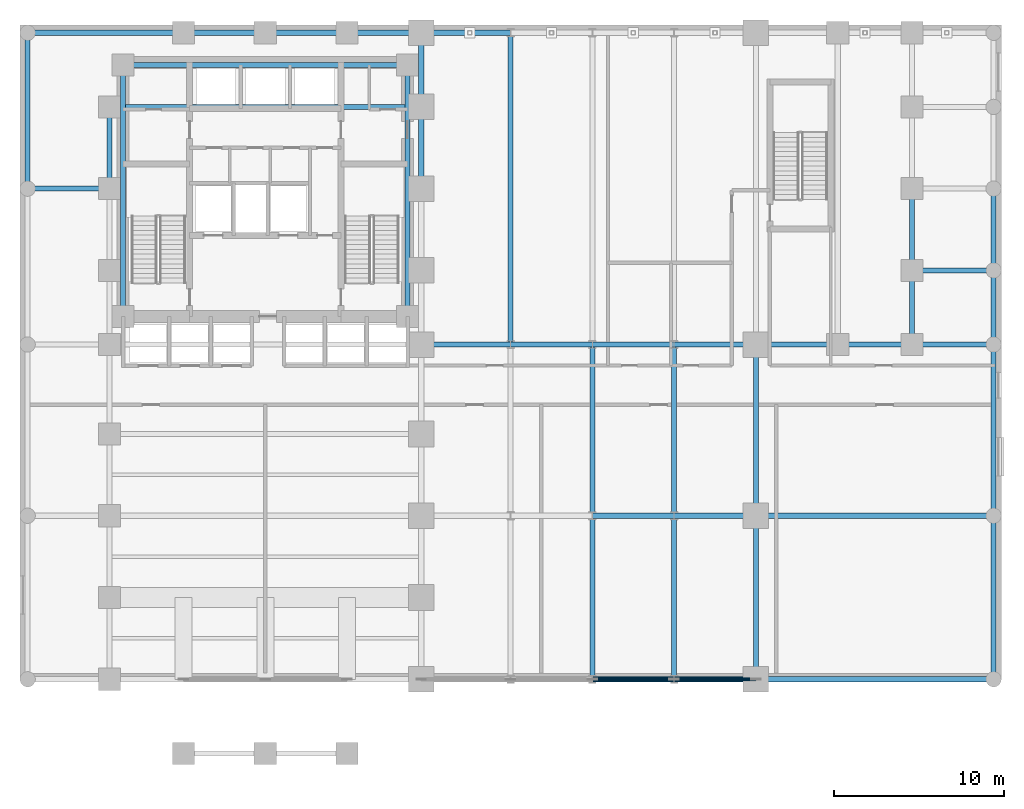
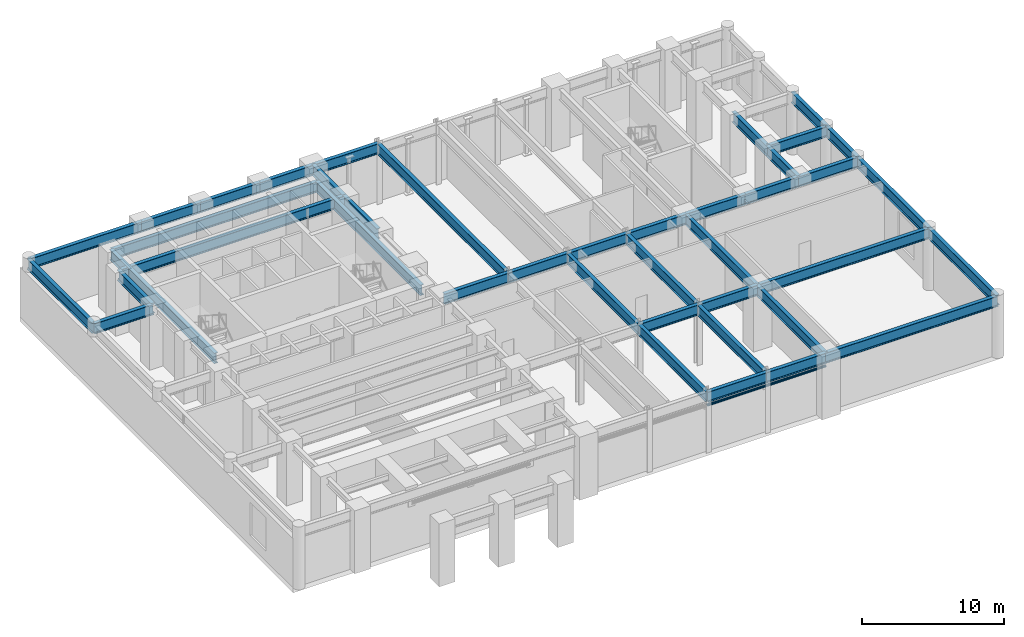
# One storey, part 2 of 10: 41 beams, 2 members.
"""IFC4 building model written with IfcOpenShell, lengths in metres."""

from ifc_helpers import new_model, si_unit, direction, frame, origin, origin_2d, place, context, subcontext, project, spatial, hollow_circle, i_section, extrude, material, material_profile, profile_set, type_object, element, save


model = new_model("IFC4")

# Units and contexts
model_context = context("Model", 3, precision=1e-05, world=origin(), true_north=direction((0.0, 1.0)))
body_context = subcontext(model_context, "Body", "Model", "MODEL_VIEW")
ifc_project = project(units=[si_unit("LENGTHUNIT", "METRE"), si_unit("AREAUNIT", "SQUARE_METRE"), si_unit("VOLUMEUNIT", "CUBIC_METRE"), si_unit("PLANEANGLEUNIT", "RADIAN"), si_unit("MASSUNIT", "GRAM", prefix="KILO")], contexts=[model_context])

# Site, building, storey
site_placement = place(None, origin())
site = spatial("IfcSite", under=ifc_project, at=site_placement, CompositionType="ELEMENT")
building_placement = place(site_placement, origin())
building = spatial("IfcBuilding", under=site, at=building_placement, Name="Orvandelia Arch Residences", CompositionType="ELEMENT")
storey_placement = place(building_placement, frame((0.0, 0.0, 19.60009765625)))
storey = spatial("IfcBuildingStorey", under=building, at=storey_placement, Name="L04", CompositionType="ELEMENT", Elevation=19.60009765625)

# Beams
ifc_material_1 = material(Name="Structural Steel HSA650 (650 MPa)", Category="steel")
ifc_material_profile_1 = material_profile(ifc_material_1, i_section(OverallWidth=0.300048828125, OverallDepth=0.89990234375, WebThickness=0.01611328125, FlangeThickness=0.028076171875, FilletRadius=0.028076171875, at=origin_2d()), Name="Structural Steel HSA650 (650 MPa)", Category="steel")
ifc_profile_set_1 = profile_set([ifc_material_profile_1], Name="Structural Steel HSA650 (650 MPa)")
beam_type = type_object("IfcBeamType", Name="BM-GRD-H900", PredefinedType="BEAM", material=ifc_profile_set_1)
beam_1_placement = place(storey_placement, frame((0.449951171875, 38.39990234375, 4.699951171875), z_axis=(0.0, 1.0, 0.0), x_axis=(-1.0, 0.0, 0.0)))
element("IfcBeam", 1, at=beam_1_placement, inside=storey, type_object=beam_type, Name="Structural Frame Beam L04-NS-004", PredefinedType="BEAM", context=body_context, shape_type="SweptSolid", body=[
    extrude(i_section(OverallWidth=0.300048828125, OverallDepth=0.89990234375, WebThickness=0.01611328125, FlangeThickness=0.028076171875, FilletRadius=0.028076171875, at=origin_2d()), origin(), (0.0, 0.0, 1.0), 9.150146484375),
])
beam_2_placement = place(storey_placement, frame((5.25, 38.39990234375, 4.699951171875), z_axis=(0.0, 1.0, 0.0), x_axis=(-1.0, 0.0, 0.0)))
element("IfcBeam", 2, at=beam_2_placement, inside=storey, type_object=beam_type, Name="Structural Frame Beam L04-NS-011", PredefinedType="BEAM", context=body_context, shape_type="SweptSolid", body=[
    extrude(i_section(OverallWidth=0.300048828125, OverallDepth=0.89990234375, WebThickness=0.01611328125, FlangeThickness=0.028076171875, FilletRadius=0.028076171875, at=origin_2d()), origin(), (0.0, 0.0, 1.0), 4.800048828125),
])
for number, where, z_axis, x_axis, name in (
    (3, (6.050048828125, 30.89990234375, 4.699951171875), (0.0, 1.0, 0.0), (-1.0, 0.0, 0.0), "Structural Frame Beam L04-NS-012"),
    (4, (22.75, 30.89990234375, 4.699951171875), (0.0, 1.0, 0.0), (-1.0, 0.0, 0.0), "Structural Frame Beam L04-NS-013"),
):
    element("IfcBeam", number, at=place(storey_placement, frame(where, z_axis=z_axis, x_axis=x_axis)), inside=storey, type_object=beam_type, Name=name, PredefinedType="BEAM", context=body_context, shape_type="SweptSolid", body=[
        extrude(i_section(OverallWidth=0.300048828125, OverallDepth=0.89990234375, WebThickness=0.01611328125, FlangeThickness=0.028076171875, FilletRadius=0.028076171875, at=origin_2d()), origin(), (0.0, 0.0, 1.0), 14.75),
    ])
beam_3_placement = place(storey_placement, frame((23.550048828125, 38.39990234375, 4.699951171875), z_axis=(0.0, 1.0, 0.0), x_axis=(-1.0, 0.0, 0.0)))
element("IfcBeam", 5, at=beam_3_placement, inside=storey, type_object=beam_type, Name="Structural Frame Beam L04-NS-020", PredefinedType="BEAM", context=body_context, shape_type="SweptSolid", body=[
    extrude(i_section(OverallWidth=0.300048828125, OverallDepth=0.89990234375, WebThickness=0.01611328125, FlangeThickness=0.028076171875, FilletRadius=0.028076171875, at=origin_2d()), origin(), (0.0, 0.0, 1.0), 4.800048828125),
])
beam_4_placement = place(storey_placement, frame((23.550048828125, 43.199951171875, 4.699951171875), z_axis=(0.0, 1.0, 0.0), x_axis=(-1.0, 0.0, 0.0)))
element("IfcBeam", 6, at=beam_4_placement, inside=storey, type_object=beam_type, Name="Structural Frame Beam L04-NS-021", PredefinedType="BEAM", context=body_context, shape_type="SweptSolid", body=[
    extrude(i_section(OverallWidth=0.300048828125, OverallDepth=0.89990234375, WebThickness=0.01611328125, FlangeThickness=0.028076171875, FilletRadius=0.028076171875, at=origin_2d()), origin(), (0.0, 0.0, 1.0), 4.35009765625),
])
beam_5_placement = place(storey_placement, frame((28.800048828125, 29.25, 4.699951171875), z_axis=(0.0, 1.0, 0.0), x_axis=(-1.0, 0.0, 0.0)))
element("IfcBeam", 7, at=beam_5_placement, inside=storey, type_object=beam_type, Name="Structural Frame Beam L04-NS-024", PredefinedType="BEAM", context=body_context, shape_type="SweptSolid", body=[
    extrude(i_section(OverallWidth=0.300048828125, OverallDepth=0.89990234375, WebThickness=0.01611328125, FlangeThickness=0.028076171875, FilletRadius=0.028076171875, at=origin_2d()), origin(), (0.0, 0.0, 1.0), 18.300048828125),
])
beam_6_placement = place(storey_placement, frame((33.60009765625, 9.60009765625, 4.699951171875), z_axis=(0.0, 1.0, 0.0), x_axis=(-1.0, 0.0, 0.0)))
element("IfcBeam", 8, at=beam_6_placement, inside=storey, type_object=beam_type, Name="Structural Frame Beam L04-NS-025", PredefinedType="BEAM", context=body_context, shape_type="SweptSolid", body=[
    extrude(i_section(OverallWidth=0.300048828125, OverallDepth=0.89990234375, WebThickness=0.01611328125, FlangeThickness=0.028076171875, FilletRadius=0.028076171875, at=origin_2d()), origin(), (0.0, 0.0, 1.0), 9.599853515625),
])
beam_7_placement = place(storey_placement, frame((33.60009765625, 19.199951171875, 4.699951171875), z_axis=(0.0, 1.0, 0.0), x_axis=(-1.0, 0.0, 0.0)))
element("IfcBeam", 9, at=beam_7_placement, inside=storey, type_object=beam_type, Name="Structural Frame Beam L04-NS-026", PredefinedType="BEAM", context=body_context, shape_type="SweptSolid", body=[
    extrude(i_section(OverallWidth=0.300048828125, OverallDepth=0.89990234375, WebThickness=0.01611328125, FlangeThickness=0.028076171875, FilletRadius=0.028076171875, at=origin_2d()), origin(), (0.0, 0.0, 1.0), 10.050048828125),
])
beam_8_placement = place(storey_placement, frame((38.39990234375, 9.60009765625, 4.699951171875), z_axis=(0.0, 1.0, 0.0), x_axis=(-1.0, 0.0, 0.0)))
element("IfcBeam", 10, at=beam_8_placement, inside=storey, type_object=beam_type, Name="Structural Frame Beam L04-NS-028", PredefinedType="BEAM", context=body_context, shape_type="SweptSolid", body=[
    extrude(i_section(OverallWidth=0.300048828125, OverallDepth=0.89990234375, WebThickness=0.01611328125, FlangeThickness=0.028076171875, FilletRadius=0.028076171875, at=origin_2d()), origin(), (0.0, 0.0, 1.0), 9.599853515625),
])
beam_9_placement = place(storey_placement, frame((38.39990234375, 19.199951171875, 4.699951171875), z_axis=(0.0, 1.0, 0.0), x_axis=(-1.0, 0.0, 0.0)))
element("IfcBeam", 11, at=beam_9_placement, inside=storey, type_object=beam_type, Name="Structural Frame Beam L04-NS-029", PredefinedType="BEAM", context=body_context, shape_type="SweptSolid", body=[
    extrude(i_section(OverallWidth=0.300048828125, OverallDepth=0.89990234375, WebThickness=0.01611328125, FlangeThickness=0.028076171875, FilletRadius=0.028076171875, at=origin_2d()), origin(), (0.0, 0.0, 1.0), 10.050048828125),
])
beam_10_placement = place(storey_placement, frame((43.199951171875, 9.60009765625, 4.699951171875), z_axis=(0.0, 1.0, 0.0), x_axis=(-1.0, 0.0, 0.0)))
element("IfcBeam", 12, at=beam_10_placement, inside=storey, type_object=beam_type, Name="Structural Frame Beam L04-NS-031", PredefinedType="BEAM", context=body_context, shape_type="SweptSolid", body=[
    extrude(i_section(OverallWidth=0.300048828125, OverallDepth=0.89990234375, WebThickness=0.01611328125, FlangeThickness=0.028076171875, FilletRadius=0.028076171875, at=origin_2d()), origin(), (0.0, 0.0, 1.0), 9.599853515625),
])
beam_11_placement = place(storey_placement, frame((43.199951171875, 19.199951171875, 4.699951171875), z_axis=(0.0, 1.0, 0.0), x_axis=(-1.0, 0.0, 0.0)))
element("IfcBeam", 13, at=beam_11_placement, inside=storey, type_object=beam_type, Name="Structural Frame Beam L04-NS-032", PredefinedType="BEAM", context=body_context, shape_type="SweptSolid", body=[
    extrude(i_section(OverallWidth=0.300048828125, OverallDepth=0.89990234375, WebThickness=0.01611328125, FlangeThickness=0.028076171875, FilletRadius=0.028076171875, at=origin_2d()), origin(), (0.0, 0.0, 1.0), 10.050048828125),
])
beam_12_placement = place(storey_placement, frame((52.35009765625, 29.25, 4.699951171875), z_axis=(0.0, 1.0, 0.0), x_axis=(-1.0, 0.0, 0.0)))
element("IfcBeam", 14, at=beam_12_placement, inside=storey, type_object=beam_type, Name="Structural Frame Beam L04-NS-035", PredefinedType="BEAM", context=body_context, shape_type="SweptSolid", body=[
    extrude(i_section(OverallWidth=0.300048828125, OverallDepth=0.89990234375, WebThickness=0.01611328125, FlangeThickness=0.028076171875, FilletRadius=0.028076171875, at=origin_2d()), origin(), (0.0, 0.0, 1.0), 4.35009765625),
])
beam_13_placement = place(storey_placement, frame((52.35009765625, 33.60009765625, 4.699951171875), z_axis=(0.0, 1.0, 0.0), x_axis=(-1.0, 0.0, 0.0)))
element("IfcBeam", 15, at=beam_13_placement, inside=storey, type_object=beam_type, Name="Structural Frame Beam L04-NS-036", PredefinedType="BEAM", context=body_context, shape_type="SweptSolid", body=[
    extrude(i_section(OverallWidth=0.300048828125, OverallDepth=0.89990234375, WebThickness=0.01611328125, FlangeThickness=0.028076171875, FilletRadius=0.028076171875, at=origin_2d()), origin(), (0.0, 0.0, 1.0), 4.7998046875),
])
beam_14_placement = place(storey_placement, frame((57.14990234375, 9.60009765625, 4.699951171875), z_axis=(0.0, 1.0, 0.0), x_axis=(-1.0, 0.0, 0.0)))
element("IfcBeam", 16, at=beam_14_placement, inside=storey, type_object=beam_type, Name="Structural Frame Beam L04-NS-039", PredefinedType="BEAM", context=body_context, shape_type="SweptSolid", body=[
    extrude(i_section(OverallWidth=0.300048828125, OverallDepth=0.89990234375, WebThickness=0.01611328125, FlangeThickness=0.028076171875, FilletRadius=0.028076171875, at=origin_2d()), origin(), (0.0, 0.0, 1.0), 9.599853515625),
])
beam_15_placement = place(storey_placement, frame((57.14990234375, 19.199951171875, 4.699951171875), z_axis=(0.0, 1.0, 0.0), x_axis=(-1.0, 0.0, 0.0)))
element("IfcBeam", 17, at=beam_15_placement, inside=storey, type_object=beam_type, Name="Structural Frame Beam L04-NS-040", PredefinedType="BEAM", context=body_context, shape_type="SweptSolid", body=[
    extrude(i_section(OverallWidth=0.300048828125, OverallDepth=0.89990234375, WebThickness=0.01611328125, FlangeThickness=0.028076171875, FilletRadius=0.028076171875, at=origin_2d()), origin(), (0.0, 0.0, 1.0), 10.050048828125),
])
beam_16_placement = place(storey_placement, frame((57.14990234375, 29.25, 4.699951171875), z_axis=(0.0, 1.0, 0.0), x_axis=(-1.0, 0.0, 0.0)))
element("IfcBeam", 18, at=beam_16_placement, inside=storey, type_object=beam_type, Name="Structural Frame Beam L04-NS-041", PredefinedType="BEAM", context=body_context, shape_type="SweptSolid", body=[
    extrude(i_section(OverallWidth=0.300048828125, OverallDepth=0.89990234375, WebThickness=0.01611328125, FlangeThickness=0.028076171875, FilletRadius=0.028076171875, at=origin_2d()), origin(), (0.0, 0.0, 1.0), 4.35009765625),
])
for number, where, z_axis, x_axis, name in (
    (19, (57.14990234375, 33.60009765625, 4.699951171875), (0.0, 1.0, 0.0), (-1.0, 0.0, 0.0), "Structural Frame Beam L04-NS-042"),
    (20, (33.60009765625, 9.60009765625, 4.699951171875), (1.0, 0.0, 0.0), (0.0, 1.0, 0.0), "Structural Frame Girder L04-EW-051"),
):
    element("IfcBeam", number, at=place(storey_placement, frame(where, z_axis=z_axis, x_axis=x_axis)), inside=storey, type_object=beam_type, Name=name, PredefinedType="BEAM", context=body_context, shape_type="SweptSolid", body=[
        extrude(i_section(OverallWidth=0.300048828125, OverallDepth=0.89990234375, WebThickness=0.01611328125, FlangeThickness=0.028076171875, FilletRadius=0.028076171875, at=origin_2d()), origin(), (0.0, 0.0, 1.0), 4.7998046875),
    ])
beam_17_placement = place(storey_placement, frame((38.39990234375, 9.60009765625, 4.699951171875), z_axis=(1.0, 0.0, 0.0), x_axis=(0.0, 1.0, 0.0)))
element("IfcBeam", 21, at=beam_17_placement, inside=storey, type_object=beam_type, Name="Structural Frame Girder L04-EW-052", PredefinedType="BEAM", context=body_context, shape_type="SweptSolid", body=[
    extrude(i_section(OverallWidth=0.300048828125, OverallDepth=0.89990234375, WebThickness=0.01611328125, FlangeThickness=0.028076171875, FilletRadius=0.028076171875, at=origin_2d()), origin(), (0.0, 0.0, 1.0), 4.800048828125),
])
beam_18_placement = place(storey_placement, frame((43.199951171875, 9.60009765625, 4.699951171875), z_axis=(1.0, 0.0, 0.0), x_axis=(0.0, 1.0, 0.0)))
element("IfcBeam", 22, at=beam_18_placement, inside=storey, type_object=beam_type, Name="Structural Frame Girder L04-EW-053", PredefinedType="BEAM", context=body_context, shape_type="SweptSolid", body=[
    extrude(i_section(OverallWidth=0.300048828125, OverallDepth=0.89990234375, WebThickness=0.01611328125, FlangeThickness=0.028076171875, FilletRadius=0.028076171875, at=origin_2d()), origin(), (0.0, 0.0, 1.0), 13.949951171875),
])
beam_19_placement = place(storey_placement, frame((33.60009765625, 19.199951171875, 4.699951171875), z_axis=(1.0, 0.0, 0.0), x_axis=(0.0, 1.0, 0.0)))
element("IfcBeam", 23, at=beam_19_placement, inside=storey, type_object=beam_type, Name="Structural Frame Girder L04-EW-059", PredefinedType="BEAM", context=body_context, shape_type="SweptSolid", body=[
    extrude(i_section(OverallWidth=0.300048828125, OverallDepth=0.89990234375, WebThickness=0.01611328125, FlangeThickness=0.028076171875, FilletRadius=0.028076171875, at=origin_2d()), origin(), (0.0, 0.0, 1.0), 4.7998046875),
])
beam_20_placement = place(storey_placement, frame((38.39990234375, 19.199951171875, 4.699951171875), z_axis=(1.0, 0.0, 0.0), x_axis=(0.0, 1.0, 0.0)))
element("IfcBeam", 24, at=beam_20_placement, inside=storey, type_object=beam_type, Name="Structural Frame Girder L04-EW-060", PredefinedType="BEAM", context=body_context, shape_type="SweptSolid", body=[
    extrude(i_section(OverallWidth=0.300048828125, OverallDepth=0.89990234375, WebThickness=0.01611328125, FlangeThickness=0.028076171875, FilletRadius=0.028076171875, at=origin_2d()), origin(), (0.0, 0.0, 1.0), 4.800048828125),
])
beam_21_placement = place(storey_placement, frame((43.199951171875, 19.199951171875, 4.699951171875), z_axis=(1.0, 0.0, 0.0), x_axis=(0.0, 1.0, 0.0)))
element("IfcBeam", 25, at=beam_21_placement, inside=storey, type_object=beam_type, Name="Structural Frame Girder L04-EW-061", PredefinedType="BEAM", context=body_context, shape_type="SweptSolid", body=[
    extrude(i_section(OverallWidth=0.300048828125, OverallDepth=0.89990234375, WebThickness=0.01611328125, FlangeThickness=0.028076171875, FilletRadius=0.028076171875, at=origin_2d()), origin(), (0.0, 0.0, 1.0), 13.949951171875),
])
beam_22_placement = place(storey_placement, frame((23.550048828125, 29.25, 4.699951171875), z_axis=(1.0, 0.0, 0.0), x_axis=(0.0, 1.0, 0.0)))
element("IfcBeam", 26, at=beam_22_placement, inside=storey, type_object=beam_type, Name="Structural Frame Girder L04-EW-065", PredefinedType="BEAM", context=body_context, shape_type="SweptSolid", body=[
    extrude(i_section(OverallWidth=0.300048828125, OverallDepth=0.89990234375, WebThickness=0.01611328125, FlangeThickness=0.028076171875, FilletRadius=0.028076171875, at=origin_2d()), origin(), (0.0, 0.0, 1.0), 5.25),
])
beam_23_placement = place(storey_placement, frame((28.800048828125, 29.25, 4.699951171875), z_axis=(1.0, 0.0, 0.0), x_axis=(0.0, 1.0, 0.0)))
element("IfcBeam", 27, at=beam_23_placement, inside=storey, type_object=beam_type, Name="Structural Frame Girder L04-EW-066", PredefinedType="BEAM", context=body_context, shape_type="SweptSolid", body=[
    extrude(i_section(OverallWidth=0.300048828125, OverallDepth=0.89990234375, WebThickness=0.01611328125, FlangeThickness=0.028076171875, FilletRadius=0.028076171875, at=origin_2d()), origin(), (0.0, 0.0, 1.0), 4.800048828125),
])
beam_24_placement = place(storey_placement, frame((33.60009765625, 29.25, 4.699951171875), z_axis=(1.0, 0.0, 0.0), x_axis=(0.0, 1.0, 0.0)))
element("IfcBeam", 28, at=beam_24_placement, inside=storey, type_object=beam_type, Name="Structural Frame Girder L04-EW-067", PredefinedType="BEAM", context=body_context, shape_type="SweptSolid", body=[
    extrude(i_section(OverallWidth=0.300048828125, OverallDepth=0.89990234375, WebThickness=0.01611328125, FlangeThickness=0.028076171875, FilletRadius=0.028076171875, at=origin_2d()), origin(), (0.0, 0.0, 1.0), 4.7998046875),
])
for number, where, z_axis, x_axis, name in (
    (29, (38.39990234375, 29.25, 4.699951171875), (1.0, 0.0, 0.0), (0.0, 1.0, 0.0), "Structural Frame Girder L04-EW-068"),
    (30, (43.199951171875, 29.25, 4.699951171875), (1.0, 0.0, 0.0), (0.0, 1.0, 0.0), "Structural Frame Girder L04-EW-069"),
):
    element("IfcBeam", number, at=place(storey_placement, frame(where, z_axis=z_axis, x_axis=x_axis)), inside=storey, type_object=beam_type, Name=name, PredefinedType="BEAM", context=body_context, shape_type="SweptSolid", body=[
        extrude(i_section(OverallWidth=0.300048828125, OverallDepth=0.89990234375, WebThickness=0.01611328125, FlangeThickness=0.028076171875, FilletRadius=0.028076171875, at=origin_2d()), origin(), (0.0, 0.0, 1.0), 4.800048828125),
    ])
beam_25_placement = place(storey_placement, frame((48.0, 29.25, 4.699951171875), z_axis=(1.0, 0.0, 0.0), x_axis=(0.0, 1.0, 0.0)))
element("IfcBeam", 31, at=beam_25_placement, inside=storey, type_object=beam_type, Name="Structural Frame Girder L04-EW-070", PredefinedType="BEAM", context=body_context, shape_type="SweptSolid", body=[
    extrude(i_section(OverallWidth=0.300048828125, OverallDepth=0.89990234375, WebThickness=0.01611328125, FlangeThickness=0.028076171875, FilletRadius=0.028076171875, at=origin_2d()), origin(), (0.0, 0.0, 1.0), 4.35009765625),
])
for number, where, z_axis, x_axis, name in (
    (32, (52.35009765625, 29.25, 4.699951171875), (1.0, 0.0, 0.0), (0.0, 1.0, 0.0), "Structural Frame Girder L04-EW-071"),
    (33, (52.35009765625, 33.60009765625, 4.699951171875), (1.0, 0.0, 0.0), (0.0, 1.0, 0.0), "Structural Frame Girder L04-EW-074"),
):
    element("IfcBeam", number, at=place(storey_placement, frame(where, z_axis=z_axis, x_axis=x_axis)), inside=storey, type_object=beam_type, Name=name, PredefinedType="BEAM", context=body_context, shape_type="SweptSolid", body=[
        extrude(i_section(OverallWidth=0.300048828125, OverallDepth=0.89990234375, WebThickness=0.01611328125, FlangeThickness=0.028076171875, FilletRadius=0.028076171875, at=origin_2d()), origin(), (0.0, 0.0, 1.0), 4.7998046875),
    ])
beam_26_placement = place(storey_placement, frame((0.449951171875, 38.39990234375, 4.699951171875), z_axis=(1.0, 0.0, 0.0), x_axis=(0.0, 1.0, 0.0)))
element("IfcBeam", 34, at=beam_26_placement, inside=storey, type_object=beam_type, Name="Structural Frame Girder L04-EW-075", PredefinedType="BEAM", context=body_context, shape_type="SweptSolid", body=[
    extrude(i_section(OverallWidth=0.300048828125, OverallDepth=0.89990234375, WebThickness=0.01611328125, FlangeThickness=0.028076171875, FilletRadius=0.028076171875, at=origin_2d()), origin(), (0.0, 0.0, 1.0), 4.800048828125),
])
beam_27_placement = place(storey_placement, frame((5.25, 43.199951171875, 4.699951171875), z_axis=(1.0, 0.0, 0.0), x_axis=(0.0, 1.0, 0.0)))
element("IfcBeam", 35, at=beam_27_placement, inside=storey, type_object=beam_type, Name="Structural Frame Girder L04-EW-078", PredefinedType="BEAM", context=body_context, shape_type="SweptSolid", body=[
    extrude(i_section(OverallWidth=0.300048828125, OverallDepth=0.89990234375, WebThickness=0.01611328125, FlangeThickness=0.028076171875, FilletRadius=0.028076171875, at=origin_2d()), origin(), (0.0, 0.0, 1.0), 18.300048828125),
])
beam_28_placement = place(storey_placement, frame((6.050048828125, 45.64990234375, 4.699951171875), z_axis=(1.0, 0.0, 0.0), x_axis=(0.0, 1.0, 0.0)))
element("IfcBeam", 36, at=beam_28_placement, inside=storey, type_object=beam_type, Name="Structural Frame Girder L04-EW-080", PredefinedType="BEAM", context=body_context, shape_type="SweptSolid", body=[
    extrude(i_section(OverallWidth=0.300048828125, OverallDepth=0.89990234375, WebThickness=0.01611328125, FlangeThickness=0.028076171875, FilletRadius=0.028076171875, at=origin_2d()), origin(), (0.0, 0.0, 1.0), 16.699951171875),
])
beam_29_placement = place(storey_placement, frame((0.449951171875, 47.550048828125, 4.699951171875), z_axis=(1.0, 0.0, 0.0), x_axis=(0.0, 1.0, 0.0)))
element("IfcBeam", 37, at=beam_29_placement, inside=storey, type_object=beam_type, Name="Structural Frame Girder L04-EW-081", PredefinedType="BEAM", context=body_context, shape_type="SweptSolid", body=[
    extrude(i_section(OverallWidth=0.300048828125, OverallDepth=0.89990234375, WebThickness=0.01611328125, FlangeThickness=0.028076171875, FilletRadius=0.028076171875, at=origin_2d()), origin(), (0.0, 0.0, 1.0), 9.150146484375),
])
beam_30_placement = place(storey_placement, frame((9.60009765625, 47.550048828125, 4.699951171875), z_axis=(1.0, 0.0, 0.0), x_axis=(0.0, 1.0, 0.0)))
element("IfcBeam", 38, at=beam_30_placement, inside=storey, type_object=beam_type, Name="Structural Frame Girder L04-EW-082", PredefinedType="BEAM", context=body_context, shape_type="SweptSolid", body=[
    extrude(i_section(OverallWidth=0.300048828125, OverallDepth=0.89990234375, WebThickness=0.01611328125, FlangeThickness=0.028076171875, FilletRadius=0.028076171875, at=origin_2d()), origin(), (0.0, 0.0, 1.0), 4.7998046875),
])
beam_31_placement = place(storey_placement, frame((14.39990234375, 47.550048828125, 4.699951171875), z_axis=(1.0, 0.0, 0.0), x_axis=(0.0, 1.0, 0.0)))
element("IfcBeam", 39, at=beam_31_placement, inside=storey, type_object=beam_type, Name="Structural Frame Girder L04-EW-083", PredefinedType="BEAM", context=body_context, shape_type="SweptSolid", body=[
    extrude(i_section(OverallWidth=0.300048828125, OverallDepth=0.89990234375, WebThickness=0.01611328125, FlangeThickness=0.028076171875, FilletRadius=0.028076171875, at=origin_2d()), origin(), (0.0, 0.0, 1.0), 4.800048828125),
])
beam_32_placement = place(storey_placement, frame((19.199951171875, 47.550048828125, 4.699951171875), z_axis=(1.0, 0.0, 0.0), x_axis=(0.0, 1.0, 0.0)))
element("IfcBeam", 40, at=beam_32_placement, inside=storey, type_object=beam_type, Name="Structural Frame Girder L04-EW-084", PredefinedType="BEAM", context=body_context, shape_type="SweptSolid", body=[
    extrude(i_section(OverallWidth=0.300048828125, OverallDepth=0.89990234375, WebThickness=0.01611328125, FlangeThickness=0.028076171875, FilletRadius=0.028076171875, at=origin_2d()), origin(), (0.0, 0.0, 1.0), 4.35009765625),
])
beam_33_placement = place(storey_placement, frame((23.550048828125, 47.550048828125, 4.699951171875), z_axis=(1.0, 0.0, 0.0), x_axis=(0.0, 1.0, 0.0)))
element("IfcBeam", 41, at=beam_33_placement, inside=storey, type_object=beam_type, Name="Structural Frame Girder L04-EW-085", PredefinedType="BEAM", context=body_context, shape_type="SweptSolid", body=[
    extrude(i_section(OverallWidth=0.300048828125, OverallDepth=0.89990234375, WebThickness=0.01611328125, FlangeThickness=0.028076171875, FilletRadius=0.028076171875, at=origin_2d()), origin(), (0.0, 0.0, 1.0), 5.25),
])

# Members
ifc_material_2 = material(Name="Structural Steel SM355 (355 MPa)", Category="steel")
ifc_material_profile_2 = material_profile(ifc_material_2, hollow_circle(Radius=0.108154296875, WallThickness=0.008056640625, at=origin_2d()), Name="Structural Steel SM355 (355 MPa)", Category="steel")
ifc_profile_set_2 = profile_set([ifc_material_profile_2], Name="Structural Steel SM355 (355 MPa)")
member_type = type_object("IfcMemberType", Name="MBR-TIE-CHS216", PredefinedType="MEMBER", material=ifc_profile_set_2)
member_1_placement = place(storey_placement, frame((33.60009765625, 9.60009765625, 3.949951171875), z_axis=(1.0, 0.0, 0.0), x_axis=(0.0, 1.0, 0.0)))
element("IfcMember", 42, at=member_1_placement, inside=storey, type_object=member_type, Name="Diaphragm Collector Tie Member TM-5", PredefinedType="MEMBER", context=body_context, shape_type="SweptSolid", body=[
    extrude(hollow_circle(Radius=0.108154296875, WallThickness=0.008056640625, at=origin_2d()), origin(), (0.0, 0.0, 1.0), 4.7998046875),
])
member_2_placement = place(storey_placement, frame((38.39990234375, 9.60009765625, 3.949951171875), z_axis=(1.0, 0.0, 0.0), x_axis=(0.0, 1.0, 0.0)))
element("IfcMember", 43, at=member_2_placement, inside=storey, type_object=member_type, Name="Diaphragm Collector Tie Member TM-6", PredefinedType="MEMBER", context=body_context, shape_type="SweptSolid", body=[
    extrude(hollow_circle(Radius=0.108154296875, WallThickness=0.008056640625, at=origin_2d()), origin(), (0.0, 0.0, 1.0), 4.800048828125),
])

save(model, "model.ifc")
